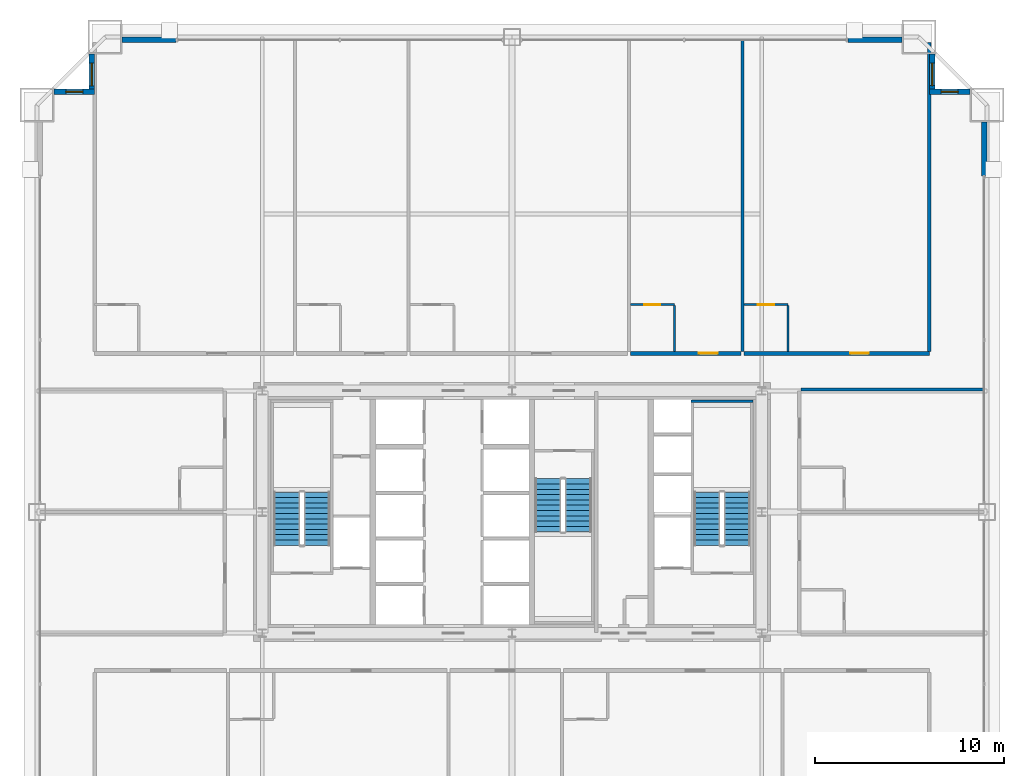
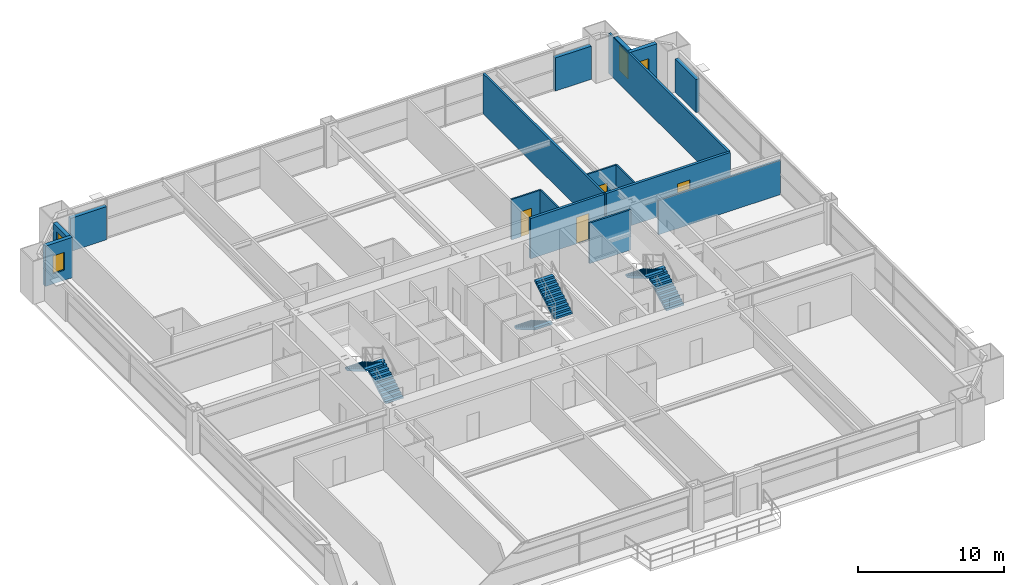
# One storey, part 42 of 43: 17 walls, 6 stair flights, 4 doors, 4 windows, 8 openings, 3 elements without a shape of their own.
"""IFC4 building model written with IfcOpenShell, lengths in metres."""

import ifcopenshell
import ifcopenshell.guid

model = None  # the IFC model being written
_history = None  # IfcOwnerHistory: only IFC2X3 demands one
_inside = {}  # id of a spatial element -> (the spatial element, [elements in it])
_under = {}  # id of a project, library or spatial element -> (it, [spatial elements below it])
_declared = {}  # id of a project -> (the project, [libraries it declares])
_typed = {}  # id of a type object -> (the type object, [elements of that type])
_made_of = {}  # id of a material, layer set ... -> (it, [elements and type objects made of it])


def new_model(schema):
    """Start an empty IFC model of exactly this schema.

    Asked for "IFC4X3", IfcOpenShell would pick the latest addendum, in which some entities
    have other attributes; the version numbers below select the first issue.
    IFC2X3 requires an IfcOwnerHistory on every rooted entity: one is made here for all.
    """
    global model, _history
    if schema == "IFC4X3":
        model = ifcopenshell.file(schema_version=(4, 3, 0, 0))
    else:
        model = ifcopenshell.file(schema=schema)
    _inside.clear()
    _under.clear()
    _declared.clear()
    _typed.clear()
    _made_of.clear()
    _history = None
    if model.schema == "IFC2X3":
        org = make("IfcOrganization", Name="unknown")
        user = make(
            "IfcPersonAndOrganization",
            ThePerson=make("IfcPerson", FamilyName="unknown"),
            TheOrganization=org,
        )
        app = make(
            "IfcApplication",
            ApplicationDeveloper=org,
            Version="unknown",
            ApplicationFullName="unknown",
            ApplicationIdentifier="unknown",
        )
        _history = make(
            "IfcOwnerHistory",
            OwningUser=user,
            OwningApplication=app,
            ChangeAction="ADDED",
            CreationDate=0,
        )
    return model


def make(cls, **values):
    """One entity of the class cls with the attributes given. An attribute that is None is left unset."""
    return model.create_entity(
        cls, **{name: value for name, value in values.items() if value is not None}
    )


def rooted(cls, **values):
    """An entity with a GlobalId (a new one), such as an element, a storey or a relation."""
    return make(cls, GlobalId=ifcopenshell.guid.new(), OwnerHistory=_history, **values)


def si_unit(unit_type, name, prefix=None):
    """IfcSIUnit, for example si_unit("LENGTHUNIT", "METRE", prefix="MILLI")."""
    return make("IfcSIUnit", UnitType=unit_type, Prefix=prefix, Name=name)


def assignment(units):
    """IfcUnitAssignment: the units of a project."""
    return None if units is None else make("IfcUnitAssignment", Units=units)


def point(xyz):
    """IfcCartesianPoint."""
    return None if xyz is None else make("IfcCartesianPoint", Coordinates=xyz)


def direction(xyz):
    """IfcDirection."""
    return None if xyz is None else make("IfcDirection", DirectionRatios=xyz)


def frame(location, z_axis=None, x_axis=None):
    """IfcAxis2Placement3D, a coordinate frame: its origin and axes. An axis left out is left unset."""
    return make(
        "IfcAxis2Placement3D",
        Location=point(location),
        Axis=direction(z_axis),
        RefDirection=direction(x_axis),
    )


def frame_2d(location, x_axis=None):
    """IfcAxis2Placement2D, a coordinate frame in the plane: its origin and x axis."""
    return make(
        "IfcAxis2Placement2D", Location=point(location), RefDirection=direction(x_axis)
    )


def origin():
    """The frame at (0, 0, 0) with its axes left unset."""
    return frame((0.0, 0.0, 0.0))


def place(relative_to, where):
    """IfcLocalPlacement: puts the frame where relative to a parent placement (None: the world)."""
    return make(
        "IfcLocalPlacement", PlacementRelTo=relative_to, RelativePlacement=where
    )


def context(
    kind, dimensions, precision=None, world=None, true_north=None, identifier=None
):
    """IfcGeometricRepresentationContext, for example the 3D "Model" context."""
    return make(
        "IfcGeometricRepresentationContext",
        ContextIdentifier=identifier,
        ContextType=kind,
        CoordinateSpaceDimension=dimensions,
        Precision=precision,
        WorldCoordinateSystem=world,
        TrueNorth=true_north,
    )


def subcontext(parent, identifier, kind, view, scale=None):
    """IfcGeometricRepresentationSubContext, for example "Body" below "Model"."""
    return make(
        "IfcGeometricRepresentationSubContext",
        ContextIdentifier=identifier,
        ContextType=kind,
        ParentContext=parent,
        TargetScale=scale,
        TargetView=view,
    )


def project(units=None, contexts=None):
    """IfcProject with its units and contexts."""
    return rooted(
        "IfcProject",
        Name="project",
        RepresentationContexts=contexts,
        UnitsInContext=assignment(units),
    )


def spatial(cls, under=None, at=None, **own):
    """A site, building, storey or space (cls), placed at a placement, below another one or the project."""
    s = rooted(cls, ObjectPlacement=at, **own)
    if under is not None:
        _under.setdefault(under.id(), (under, []))[1].append(s)
    return s


def polyline(points):
    """IfcPolyline through the points."""
    return make("IfcPolyline", Points=[point(p) for p in points])


def profile(cls, at=None, kind="AREA", **sizes):
    """A parametric profile (cls). Its sizes go by their IFC names, for example OverallWidth=200.0."""
    return make(cls, ProfileType=kind, Position=at, **sizes)


def rectangle(**sizes):
    """IfcRectangleProfileDef."""
    return profile("IfcRectangleProfileDef", **sizes)


def outline(outer, holes=None, kind="AREA"):
    """IfcArbitraryClosedProfileDef: a profile drawn as a closed curve; with holes, ...WithVoids."""
    if holes is None:
        return make("IfcArbitraryClosedProfileDef", ProfileType=kind, OuterCurve=outer)
    return make(
        "IfcArbitraryProfileDefWithVoids",
        ProfileType=kind,
        OuterCurve=outer,
        InnerCurves=holes,
    )


def extrude(swept, where, along, depth):
    """IfcExtrudedAreaSolid: the profile swept, set in the frame where, extruded along a direction by depth."""
    return make(
        "IfcExtrudedAreaSolid",
        SweptArea=swept,
        Position=where,
        ExtrudedDirection=direction(along),
        Depth=depth,
    )


def shape(context_of_items, identifier, shape_type, items):
    """IfcShapeRepresentation: the items that make up one representation, for example the "Body"."""
    return make(
        "IfcShapeRepresentation",
        ContextOfItems=context_of_items,
        RepresentationIdentifier=identifier,
        RepresentationType=shape_type,
        Items=items,
    )


def source(mapping_origin, context_of_items, identifier, shape_type, items):
    """IfcRepresentationMap: a shape defined once, which mapped items show again and again."""
    return make(
        "IfcRepresentationMap",
        MappingOrigin=mapping_origin,
        MappedRepresentation=shape(context_of_items, identifier, shape_type, items),
    )


def transform(
    local_origin,
    x_axis=None,
    y_axis=None,
    z_axis=None,
    scale=None,
    scale2=None,
    scale3=None,
    uniform=True,
):
    """IfcCartesianTransformationOperator3D, or its non-uniform kind. x_axis, y_axis, z_axis: its Axis1, 2, 3."""
    if uniform:
        return make(
            "IfcCartesianTransformationOperator3D",
            Axis1=direction(x_axis),
            Axis2=direction(y_axis),
            LocalOrigin=point(local_origin),
            Scale=scale,
            Axis3=direction(z_axis),
        )
    return make(
        "IfcCartesianTransformationOperator3DnonUniform",
        Axis1=direction(x_axis),
        Axis2=direction(y_axis),
        LocalOrigin=point(local_origin),
        Scale=scale,
        Axis3=direction(z_axis),
        Scale2=scale2,
        Scale3=scale3,
    )


def mapped(mapping_source, mapping_target):
    """IfcMappedItem: shows the shape of a source again, moved by a transform."""
    return make(
        "IfcMappedItem", MappingSource=mapping_source, MappingTarget=mapping_target
    )


def material(Name=None, Category=None):
    """IfcMaterial."""
    return make("IfcMaterial", Name=Name, Category=Category)


def layer(
    of_material, thickness, ventilated=None, Name=None, Category=None, Priority=None
):
    """IfcMaterialLayer: one layer of a wall or slab, of a material (None: an air gap)."""
    return make(
        "IfcMaterialLayer",
        Material=of_material,
        LayerThickness=thickness,
        IsVentilated=ventilated,
        Name=Name,
        Category=Category,
        Priority=Priority,
    )


def layer_set(layers, Name=None):
    """IfcMaterialLayerSet."""
    return make("IfcMaterialLayerSet", MaterialLayers=layers, LayerSetName=Name)


def made_of(thing, what):
    """Note that an element or type object is made of a material, layer set ...; save() writes the relation."""
    if what is not None:
        _made_of.setdefault(what.id(), (what, []))[1].append(thing)
    return thing


def type_object(cls, material=None, **own):
    """A type object (cls), such as IfcWallType, which elements share."""
    return made_of(rooted(cls, **own), material)


def element(
    cls,
    number,
    at=None,
    inside=None,
    cuts=None,
    type_object=None,
    material=None,
    context=None,
    identifier="Body",
    shape_type=None,
    held_by="IfcProductDefinitionShape",
    body=None,
    shapes=None,
    **own,
):
    """One element of the class cls, such as IfcWall. Its Tag is "e" and its number.

    at: its placement. inside: the storey or other place that contains it. cuts: it is an
    opening in that element (IfcRelVoidsElement). A single representation is given by context,
    identifier, shape_type and body (its items); several are given by shapes. held_by: the class
    of the entity that holds the representations. save() writes the other relations.
    """
    e = rooted(cls, Tag="e%d" % number, ObjectPlacement=at, **own)
    if body is not None:
        shapes = [shape(context, identifier, shape_type, body)]
    if shapes is not None:
        e.Representation = make(held_by, Representations=shapes)
    if inside is not None:
        _inside.setdefault(inside.id(), (inside, []))[1].append(e)
    if cuts is not None:
        rooted(
            "IfcRelVoidsElement", RelatingBuildingElement=cuts, RelatedOpeningElement=e
        )
    if type_object is not None:
        _typed.setdefault(type_object.id(), (type_object, []))[1].append(e)
    return made_of(e, material)


def fill(opening, filler):
    """IfcRelFillsElement: the door or window that sits in an opening."""
    return rooted(
        "IfcRelFillsElement",
        RelatingOpeningElement=opening,
        RelatedBuildingElement=filler,
    )


def aggregate(whole, parts):
    """IfcRelAggregates: a whole, such as a stair, and the parts it consists of."""
    return rooted("IfcRelAggregates", RelatingObject=whole, RelatedObjects=parts)


def save(model, path):
    """Write the relations noted so far, then the file.

    IfcRelAggregates (storeys below a building ...), IfcRelContainedInSpatialStructure (elements
    in a storey), IfcRelDefinesByType, IfcRelAssociatesMaterial and IfcRelDeclares: one each for
    every whole, place, type object, material and project.
    """
    for whole, parts in _under.values():
        aggregate(whole, parts)
    for where, things in _inside.values():
        rooted(
            "IfcRelContainedInSpatialStructure",
            RelatedElements=things,
            RelatingStructure=where,
        )
    for kind, things in _typed.values():
        rooted("IfcRelDefinesByType", RelatedObjects=things, RelatingType=kind)
    for what, things in _made_of.values():
        rooted("IfcRelAssociatesMaterial", RelatedObjects=things, RelatingMaterial=what)
    for by, libraries in _declared.values():
        rooted("IfcRelDeclares", RelatingContext=by, RelatedDefinitions=libraries)
    model.write(path)


model = new_model("IFC4")

# Units and contexts
model_context = context("Model", 3, precision=1e-05, world=origin(), true_north=direction((0.0, 1.0)))
body_context = subcontext(model_context, "Body", "Model", "MODEL_VIEW")
ifc_project = project(units=[si_unit("LENGTHUNIT", "METRE"), si_unit("AREAUNIT", "SQUARE_METRE"), si_unit("VOLUMEUNIT", "CUBIC_METRE"), si_unit("PLANEANGLEUNIT", "RADIAN"), si_unit("MASSUNIT", "GRAM", prefix="KILO"), si_unit("THERMODYNAMICTEMPERATUREUNIT", "KELVIN"), si_unit("POWERUNIT", "WATT")], contexts=[model_context])

# Site, building, storey
site_placement = place(None, origin())
site = spatial("IfcSite", under=ifc_project, at=site_placement, CompositionType="ELEMENT")
building_placement = place(site_placement, origin())
building = spatial("IfcBuilding", under=site, at=building_placement, Name="Yuzanri Waterfront Tower", CompositionType="ELEMENT")
storey_placement = place(building_placement, frame((0.0, 0.0, 78.39990234375)))
storey = spatial("IfcBuildingStorey", under=building, at=storey_placement, Name="L20", CompositionType="ELEMENT", Elevation=78.39990234375)

# Wall, opening, door
ifc_material_1 = material(Name="Moisture-Resistant Gypsum Stud Wall", Category="gypsum")
ifc_layer_1 = layer(ifc_material_1, 0.1201171875)
ifc_layer_set_1 = layer_set([ifc_layer_1], Name="Moisture-Resistant Gypsum Stud Wall")
wall_type_1 = type_object("IfcWallType", Name="Bathroom and Kitchen Wet Partition 120", PredefinedType="PARTITIONING", material=ifc_layer_set_1)
wall_1_placement = place(storey_placement, frame((43.257080078125, 36.760009765625, 0.0), z_axis=(0.0, 0.0, 1.0), x_axis=(1.0, 0.0, 0.0)))
wall_1 = element("IfcWall", 1, at=wall_1_placement, inside=storey, type_object=wall_type_1, Name="L20 Partition UW-L20-N4-BN", PredefinedType="PARTITIONING", context=body_context, shape_type="SweptSolid", body=[
    extrude(rectangle(XDim=2.329833984375, YDim=0.1201171875, at=frame_2d((1.1650390625, 0.0))), origin(), (0.0, 0.0, 1.0), 3.380126953125),
])
opening_1_placement = place(wall_1_placement, frame((0.739990234375, 0.0, 0.0)))
opening_1 = element("IfcOpeningElement", 2, at=opening_1_placement, cuts=wall_1, Name="Opening ID-0850", PredefinedType="OPENING", context=body_context, shape_type="SweptSolid", body=[
    extrude(rectangle(XDim=0.85009765625, YDim=2.10009765625, at=frame_2d((0.425048828125, 1.050048828125))), frame((0.0, 0.074951171875, 0.0), z_axis=(0.0, -1.0, 0.0), x_axis=(1.0, 0.0, 0.0)), (0.0, 0.0, 1.0), 0.14990234375),
])
ifc_material_2 = material(Name="Moisture-Resistant Lacquered Timber", Category="wood")
door_type_1 = type_object("IfcDoorType", Name="En-Suite Bathroom and Kitchen Swing Door 850x2100", OperationType="NOTDEFINED", PredefinedType="DOOR", material=ifc_material_2)
shared_shape_1 = source(origin(), body_context, "Body", "SweptSolid", [
    extrude(rectangle(XDim=0.85009765625, YDim=2.10009765625, at=frame_2d((0.425048828125, 1.050048828125))), frame((0.0, 0.02490234375, 0.0), z_axis=(0.0, -1.0, 0.0), x_axis=(1.0, 0.0, 0.0)), (0.0, 0.0, 1.0), 0.050048828125),
])
door_1_placement = place(opening_1_placement, origin())
door_1 = element("IfcDoor", 3, at=door_1_placement, inside=storey, type_object=door_type_1, Name="L20 Guest En-Suite Door", OperationType="SINGLE_SWING_RIGHT", OverallHeight=2.10009765625, OverallWidth=0.85009765625, PredefinedType="DOOR", context=body_context, shape_type="MappedRepresentation", body=[
    mapped(shared_shape_1, transform((0.0, 0.0, 0.0), scale=1.0)),
])
fill(opening_1, door_1)

wall_2_placement = place(storey_placement, frame((49.257080078125, 36.760009765625, 0.0), z_axis=(0.0, 0.0, 1.0), x_axis=(1.0, 0.0, 0.0)))
wall_2 = element("IfcWall", 4, at=wall_2_placement, inside=storey, type_object=wall_type_1, Name="L20 Partition UW-L20-N5-BN", PredefinedType="PARTITIONING", context=body_context, shape_type="SweptSolid", body=[
    extrude(rectangle(XDim=2.329833984375, YDim=0.1201171875, at=frame_2d((1.1650390625, 0.0))), origin(), (0.0, 0.0, 1.0), 3.380126953125),
])
opening_2_placement = place(wall_2_placement, frame((0.739990234375, 0.0, 0.0)))
opening_2 = element("IfcOpeningElement", 5, at=opening_2_placement, cuts=wall_2, Name="Opening ID-0850", PredefinedType="OPENING", context=body_context, shape_type="SweptSolid", body=[
    extrude(rectangle(XDim=0.85009765625, YDim=2.10009765625, at=frame_2d((0.425048828125, 1.050048828125))), frame((0.0, 0.074951171875, 0.0), z_axis=(0.0, -1.0, 0.0), x_axis=(1.0, 0.0, 0.0)), (0.0, 0.0, 1.0), 0.14990234375),
])
door_2_placement = place(opening_2_placement, origin())
door_2 = element("IfcDoor", 6, at=door_2_placement, inside=storey, type_object=door_type_1, Name="L20 Guest En-Suite Door", OperationType="SINGLE_SWING_RIGHT", OverallHeight=2.10009765625, OverallWidth=0.85009765625, PredefinedType="DOOR", context=body_context, shape_type="MappedRepresentation", body=[
    mapped(shared_shape_1, transform((0.0, 0.0, 0.0), scale=1.0)),
])
fill(opening_2, door_2)

# Wall, opening, window
ifc_material_3 = material(Name="Honed Chongqing Dark Basalt Stone", Category="masonry")
ifc_layer_2 = layer(ifc_material_3, 0.300048828125)
ifc_layer_set_2 = layer_set([ifc_layer_2], Name="Honed Chongqing Dark Basalt Stone")
wall_type_2 = type_object("IfcWallType", Name="Bronze Rainscreen Insulated Spandrel Portal Wall 300", PredefinedType="SOLIDWALL", material=ifc_layer_set_2)
wall_3_placement = place(storey_placement, frame((14.949951171875, 48.0, 0.0), z_axis=(0.0, 0.0, 1.0), x_axis=(-1.0, 0.0, 0.0)))
wall_3 = element("IfcWall", 7, at=wall_3_placement, inside=storey, type_object=wall_type_2, Name="L20 Notched Corner Masonry Wall NW-X", PredefinedType="SOLIDWALL", context=body_context, shape_type="SweptSolid", body=[
    extrude(rectangle(XDim=2.14990234375, YDim=0.300048828125, at=frame_2d((1.074951171875, 0.0))), origin(), (0.0, 0.0, 1.0), 3.380126953125),
])
opening_3_placement = place(wall_3_placement, frame((0.625, 0.0, 0.85009765625)))
opening_3 = element("IfcOpeningElement", 8, at=opening_3_placement, cuts=wall_3, Name="Opening WN-05", PredefinedType="OPENING", context=body_context, shape_type="SweptSolid", body=[
    extrude(rectangle(XDim=0.89990234375, YDim=1.5, at=frame_2d((0.449951171875, 0.75))), frame((0.0, 0.1650390625, 0.0), z_axis=(0.0, -1.0, 0.0), x_axis=(1.0, 0.0, 0.0)), (0.0, 0.0, 1.0), 0.329833984375),
])
ifc_material_4 = material(Name="Double-Silver Low-E Insulated Glass", Category="glass")
window_type_1 = type_object("IfcWindowType", Name="Anodized Bronze Service and Stairwell Smoke-Vent Window 900x1500", PartitioningType="SINGLE_PANEL", PredefinedType="WINDOW", material=ifc_material_4)
shared_shape_2 = source(origin(), body_context, "Body", "SweptSolid", [
    extrude(rectangle(XDim=0.89990234375, YDim=1.5, at=frame_2d((0.449951171875, 0.75))), frame((0.0, 0.030029296875, 0.0), z_axis=(0.0, -1.0, 0.0), x_axis=(1.0, 0.0, 0.0)), (0.0, 0.0, 1.0), 0.06005859375),
])
window_1_placement = place(opening_3_placement, origin())
window_1 = element("IfcWindow", 9, at=window_1_placement, inside=storey, type_object=window_type_1, Name="L20 Notched Corner Window NW-X", OverallHeight=1.5, OverallWidth=0.89990234375, PartitioningType="SINGLE_PANEL", PredefinedType="WINDOW", context=body_context, shape_type="MappedRepresentation", body=[
    mapped(shared_shape_2, transform((0.0, 0.0, 0.0), scale=1.0)),
])
fill(opening_3, window_1)

wall_4_placement = place(storey_placement, frame((14.800048828125, 50.0, 0.0), z_axis=(0.0, 0.0, 1.0), x_axis=(0.0, -1.0, 0.0)))
wall_4 = element("IfcWall", 10, at=wall_4_placement, inside=storey, type_object=wall_type_2, Name="L20 Notched Corner Masonry Wall NW-Y", PredefinedType="SOLIDWALL", context=body_context, shape_type="SweptSolid", body=[
    extrude(rectangle(XDim=2.14990234375, YDim=0.300048828125, at=frame_2d((1.074951171875, 0.0))), origin(), (0.0, 0.0, 1.0), 3.380126953125),
])
opening_4_placement = place(wall_4_placement, frame((0.47509765625, 0.0, 0.85009765625)))
opening_4 = element("IfcOpeningElement", 11, at=opening_4_placement, cuts=wall_4, Name="Opening WN-02", PredefinedType="OPENING", context=body_context, shape_type="SweptSolid", body=[
    extrude(rectangle(XDim=1.199951171875, YDim=2.10009765625, at=frame_2d((0.60009765625, 1.050048828125))), frame((0.0, 0.1650390625, 0.0), z_axis=(0.0, -1.0, 0.0), x_axis=(1.0, 0.0, 0.0)), (0.0, 0.0, 1.0), 0.329833984375),
])
ifc_material_5 = material(Name="Double-Silver Low-E Insulated Glass", Category="glass")
window_type_2 = type_object("IfcWindowType", Name="Anodized Bronze Notched Corner Deep-Set Slot Window 1200x2100", PartitioningType="SINGLE_PANEL", PredefinedType="WINDOW", material=ifc_material_5)
shared_shape_3 = source(origin(), body_context, "Body", "SweptSolid", [
    extrude(rectangle(XDim=1.199951171875, YDim=2.10009765625, at=frame_2d((0.60009765625, 1.050048828125))), frame((0.0, 0.030029296875, 0.0), z_axis=(0.0, -1.0, 0.0), x_axis=(1.0, 0.0, 0.0)), (0.0, 0.0, 1.0), 0.06005859375),
])
window_2_placement = place(opening_4_placement, origin())
window_2 = element("IfcWindow", 12, at=window_2_placement, inside=storey, type_object=window_type_2, Name="L20 Notched Corner Window NW-Y", OverallHeight=2.10009765625, OverallWidth=1.199951171875, PartitioningType="SINGLE_PANEL", PredefinedType="WINDOW", context=body_context, shape_type="MappedRepresentation", body=[
    mapped(shared_shape_3, transform((0.0, 0.0, 0.0), scale=1.0)),
])
fill(opening_4, window_2)

wall_5_placement = place(storey_placement, frame((61.199951171875, 48.0, 0.0), z_axis=(0.0, 0.0, 1.0), x_axis=(-1.0, 0.0, 0.0)))
wall_5 = element("IfcWall", 13, at=wall_5_placement, inside=storey, type_object=wall_type_2, Name="L20 Notched Corner Masonry Wall NE-X", PredefinedType="SOLIDWALL", context=body_context, shape_type="SweptSolid", body=[
    extrude(rectangle(XDim=2.14990234375, YDim=0.300048828125, at=frame_2d((1.074951171875, 0.0))), origin(), (0.0, 0.0, 1.0), 3.380126953125),
])
opening_5_placement = place(wall_5_placement, frame((0.625, 0.0, 0.85009765625)))
opening_5 = element("IfcOpeningElement", 14, at=opening_5_placement, cuts=wall_5, Name="Opening WN-05", PredefinedType="OPENING", context=body_context, shape_type="SweptSolid", body=[
    extrude(rectangle(XDim=0.89990234375, YDim=1.5, at=frame_2d((0.449951171875, 0.75))), frame((0.0, 0.1650390625, 0.0), z_axis=(0.0, -1.0, 0.0), x_axis=(1.0, 0.0, 0.0)), (0.0, 0.0, 1.0), 0.329833984375),
])
window_3_placement = place(opening_5_placement, origin())
window_3 = element("IfcWindow", 15, at=window_3_placement, inside=storey, type_object=window_type_1, Name="L20 Notched Corner Window NE-X", OverallHeight=1.5, OverallWidth=0.89990234375, PartitioningType="SINGLE_PANEL", PredefinedType="WINDOW", context=body_context, shape_type="MappedRepresentation", body=[
    mapped(shared_shape_2, transform((0.0, 0.0, 0.0), scale=1.0)),
])
fill(opening_5, window_3)

wall_6_placement = place(storey_placement, frame((59.199951171875, 47.85009765625, 0.0), z_axis=(0.0, 0.0, 1.0), x_axis=(0.0, 1.0, 0.0)))
wall_6 = element("IfcWall", 16, at=wall_6_placement, inside=storey, type_object=wall_type_2, Name="L20 Notched Corner Masonry Wall NE-Y", PredefinedType="SOLIDWALL", context=body_context, shape_type="SweptSolid", body=[
    extrude(rectangle(XDim=2.14990234375, YDim=0.300048828125, at=frame_2d((1.074951171875, 0.0))), origin(), (0.0, 0.0, 1.0), 3.380126953125),
])
opening_6_placement = place(wall_6_placement, frame((0.47509765625, 0.0, 0.85009765625)))
opening_6 = element("IfcOpeningElement", 17, at=opening_6_placement, cuts=wall_6, Name="Opening WN-02", PredefinedType="OPENING", context=body_context, shape_type="SweptSolid", body=[
    extrude(rectangle(XDim=1.199951171875, YDim=2.10009765625, at=frame_2d((0.60009765625, 1.050048828125))), frame((0.0, 0.1650390625, 0.0), z_axis=(0.0, -1.0, 0.0), x_axis=(1.0, 0.0, 0.0)), (0.0, 0.0, 1.0), 0.329833984375),
])
window_4_placement = place(opening_6_placement, origin())
window_4 = element("IfcWindow", 18, at=window_4_placement, inside=storey, type_object=window_type_2, Name="L20 Notched Corner Window NE-Y", OverallHeight=2.10009765625, OverallWidth=1.199951171875, PartitioningType="SINGLE_PANEL", PredefinedType="WINDOW", context=body_context, shape_type="MappedRepresentation", body=[
    mapped(shared_shape_3, transform((0.0, 0.0, 0.0), scale=1.0)),
])
fill(opening_6, window_4)

# Wall, opening, door
ifc_material_6 = material(Name="Autoclaved Aerated Concrete Blockwork", Category="masonry")
ifc_layer_3 = layer(ifc_material_6, 0.199951171875)
ifc_layer_set_3 = layer_set([ifc_layer_3], Name="Autoclaved Aerated Concrete Blockwork")
wall_type_3 = type_object("IfcWallType", Name="Corridor and Unit Party Fire Wall 200", PredefinedType="PARTITIONING", material=ifc_layer_set_3)
wall_7_placement = place(storey_placement, frame((43.257080078125, 34.179931640625, 0.0), z_axis=(0.0, 0.0, 1.0), x_axis=(1.0, 0.0, 0.0)))
wall_7 = element("IfcWall", 19, at=wall_7_placement, inside=storey, type_object=wall_type_3, Name="L20 Partition UW-L20-N4-CS", PredefinedType="PARTITIONING", context=body_context, shape_type="SweptSolid", body=[
    extrude(rectangle(XDim=5.83984375, YDim=0.199951171875, at=frame_2d((2.919921875, 0.0))), origin(), (0.0, 0.0, 1.0), 3.380126953125),
])
opening_7_placement = place(wall_7_placement, frame((3.625, 0.0, 0.0)))
opening_7 = element("IfcOpeningElement", 20, at=opening_7_placement, cuts=wall_7, Name="Opening FD-1000", PredefinedType="OPENING", context=body_context, shape_type="SweptSolid", body=[
    extrude(rectangle(XDim=1.0, YDim=2.199951171875, at=frame_2d((0.5, 1.10009765625))), frame((0.0, 0.11474609375, 0.0), z_axis=(0.0, -1.0, 0.0), x_axis=(1.0, 0.0, 0.0)), (0.0, 0.0, 1.0), 0.229736328125),
])
ifc_material_7 = material(Name="Engineered Oak Fire-Rated Timber", Category="wood")
door_type_2 = type_object("IfcDoorType", Name="Guestroom and Apartment Entrance Fire Door 1000x2200", OperationType="NOTDEFINED", PredefinedType="DOOR", material=ifc_material_7)
shared_shape_4 = source(origin(), body_context, "Body", "SweptSolid", [
    extrude(rectangle(XDim=1.0, YDim=2.199951171875, at=frame_2d((0.5, 1.10009765625))), frame((0.0, 0.02490234375, 0.0), z_axis=(0.0, -1.0, 0.0), x_axis=(1.0, 0.0, 0.0)), (0.0, 0.0, 1.0), 0.050048828125),
])
door_3_placement = place(opening_7_placement, origin())
door_3 = element("IfcDoor", 21, at=door_3_placement, inside=storey, type_object=door_type_2, Name="L20 Deluxe Junior Suite Entrance Door", OperationType="SINGLE_SWING_LEFT", OverallHeight=2.199951171875, OverallWidth=1.0, PredefinedType="DOOR", context=body_context, shape_type="MappedRepresentation", body=[
    mapped(shared_shape_4, transform((0.0, 0.0, 0.0), scale=1.0)),
])
fill(opening_7, door_3)

wall_8_placement = place(storey_placement, frame((49.257080078125, 34.179931640625, 0.0), z_axis=(0.0, 0.0, 1.0), x_axis=(1.0, 0.0, 0.0)))
wall_8 = element("IfcWall", 22, at=wall_8_placement, inside=storey, type_object=wall_type_3, Name="L20 Partition UW-L20-N5-CS", PredefinedType="PARTITIONING", context=body_context, shape_type="SweptSolid", body=[
    extrude(rectangle(XDim=9.802978515625, YDim=0.199951171875, at=frame_2d((4.9013671875, 0.0))), origin(), (0.0, 0.0, 1.0), 3.380126953125),
])
opening_8_placement = place(wall_8_placement, frame((5.60693359375, 0.0, 0.0)))
opening_8 = element("IfcOpeningElement", 23, at=opening_8_placement, cuts=wall_8, Name="Opening FD-1000", PredefinedType="OPENING", context=body_context, shape_type="SweptSolid", body=[
    extrude(rectangle(XDim=1.0, YDim=2.199951171875, at=frame_2d((0.5, 1.10009765625))), frame((0.0, 0.11474609375, 0.0), z_axis=(0.0, -1.0, 0.0), x_axis=(1.0, 0.0, 0.0)), (0.0, 0.0, 1.0), 0.229736328125),
])
door_4_placement = place(opening_8_placement, origin())
door_4 = element("IfcDoor", 24, at=door_4_placement, inside=storey, type_object=door_type_2, Name="L20 Deluxe Junior Suite Entrance Door", OperationType="SINGLE_SWING_LEFT", OverallHeight=2.199951171875, OverallWidth=1.0, PredefinedType="DOOR", context=body_context, shape_type="MappedRepresentation", body=[
    mapped(shared_shape_4, transform((0.0, 0.0, 0.0), scale=1.0)),
])
fill(opening_8, door_4)

# Walls
shared_shape_5 = source(origin(), body_context, "Body", "SweptSolid", [
    extrude(rectangle(XDim=2.85009765625, YDim=0.300048828125, at=frame_2d((1.425048828125, 0.0))), origin(), (0.0, 0.0, 1.0), 2.775146484375),
])
for number, where, z_axis, x_axis, name in (
    (25, (16.39990234375, 50.75, 0.0), (0.0, 0.0, 1.0), (1.0, 0.0, 0.0), "L20 N Left Braced Masonry Shoulder"),
    (26, (54.75, 50.75, 0.0), (0.0, 0.0, 1.0), (1.0, 0.0, 0.0), "L20 N Right Braced Masonry Shoulder"),
):
    element("IfcWall", number, at=place(storey_placement, frame(where, z_axis=z_axis, x_axis=x_axis)), inside=storey, type_object=wall_type_2, Name=name, PredefinedType="SOLIDWALL", context=body_context, shape_type="MappedRepresentation", body=[
        mapped(shared_shape_5, transform((0.0, 0.0, 0.0), scale=1.0)),
    ])
shared_shape_6 = source(origin(), body_context, "Body", "SweptSolid", [
    extrude(rectangle(XDim=2.849853515625, YDim=0.300048828125, at=frame_2d((1.4248046875, 0.0))), origin(), (0.0, 0.0, 1.0), 2.775146484375),
])
wall_9_placement = place(storey_placement, frame((61.949951171875, 43.550048828125, 0.0), z_axis=(0.0, 0.0, 1.0), x_axis=(0.0, 1.0, 0.0)))
element("IfcWall", 27, at=wall_9_placement, inside=storey, type_object=wall_type_2, Name="L20 E Right Braced Masonry Shoulder", PredefinedType="SOLIDWALL", context=body_context, shape_type="MappedRepresentation", body=[
    mapped(shared_shape_6, transform((0.0, 0.0, 0.0), scale=1.0)),
])
ifc_material_8 = material(Name="Gypsum Fireboard Acoustic Stud Wall", Category="gypsum")
ifc_layer_4 = layer(ifc_material_8, 0.159912109375)
ifc_layer_set_4 = layer_set([ifc_layer_4], Name="Gypsum Fireboard Acoustic Stud Wall")
wall_type_4 = type_object("IfcWallType", Name="Acoustic Suite Demising Partition 160", PredefinedType="PARTITIONING", material=ifc_layer_set_4)
shared_shape_7 = source(origin(), body_context, "Body", "SweptSolid", [
    extrude(rectangle(XDim=9.669921875, YDim=0.159912109375, at=frame_2d((4.8349609375, 0.0))), origin(), (0.0, 0.0, 1.0), 2.875),
])
wall_10_placement = place(storey_placement, frame((52.280029296875, 32.27001953125, 0.0), z_axis=(0.0, 0.0, 1.0), x_axis=(1.0, 0.0, 0.0)))
element("IfcWall", 28, at=wall_10_placement, inside=storey, type_object=wall_type_4, Name="L20-E2 Wing North End Wall", PredefinedType="PARTITIONING", context=body_context, shape_type="MappedRepresentation", body=[
    mapped(shared_shape_7, transform((0.0, 0.0, 0.0), scale=1.0)),
])
ifc_material_9 = material(Name="Concrete C40", Category="concrete")
ifc_layer_5 = layer(ifc_material_9, 0.139892578125)
ifc_layer_set_5 = layer_set([ifc_layer_5], Name="Concrete C40")
wall_type_5 = type_object("IfcWallType", Name="Core Stair Liner and Hoistway Shaft Wall 140", PredefinedType="SOLIDWALL", material=ifc_layer_set_5)
shared_shape_8 = source(origin(), body_context, "Body", "SweptSolid", [
    extrude(rectangle(XDim=3.280029296875, YDim=0.139892578125, at=frame_2d((1.64013671875, 0.0))), origin(), (0.0, 0.0, 1.0), 3.380126953125),
])
wall_11_placement = place(storey_placement, frame((46.4599609375, 31.64990234375, 0.0), z_axis=(0.0, 0.0, 1.0), x_axis=(1.0, 0.0, 0.0)))
element("IfcWall", 29, at=wall_11_placement, inside=storey, type_object=wall_type_5, Name="L20 Stair ST-02 North Shaft Wall", PredefinedType="SOLIDWALL", context=body_context, shape_type="MappedRepresentation", body=[
    mapped(shared_shape_8, transform((0.0, 0.0, 0.0), scale=1.0)),
])
shared_shape_9 = source(origin(), body_context, "Body", "SweptSolid", [
    extrude(rectangle(XDim=16.469970703125, YDim=0.159912109375, at=frame_2d((8.23486328125, 0.0))), origin(), (0.0, 0.0, 1.0), 3.380126953125),
])
wall_12_placement = place(storey_placement, frame((49.177001953125, 34.280029296875, 0.0), z_axis=(0.0, 0.0, 1.0), x_axis=(0.0, 1.0, 0.0)))
element("IfcWall", 30, at=wall_12_placement, inside=storey, type_object=wall_type_4, Name="L20-N4 Party Wall", PredefinedType="PARTITIONING", context=body_context, shape_type="MappedRepresentation", body=[
    mapped(shared_shape_9, transform((0.0, 0.0, 0.0), scale=1.0)),
])
shared_shape_10 = source(origin(), body_context, "Body", "SweptSolid", [
    extrude(rectangle(XDim=16.320068359375, YDim=0.159912109375, at=frame_2d((8.16015625, 0.0))), origin(), (0.0, 0.0, 1.0), 3.380126953125),
])
wall_13_placement = place(storey_placement, frame((59.050048828125, 34.280029296875, 0.0), z_axis=(0.0, 0.0, 1.0), x_axis=(0.0, 1.0, 0.0)))
element("IfcWall", 31, at=wall_13_placement, inside=storey, type_object=wall_type_4, Name="L20 North Band East End Wall", PredefinedType="PARTITIONING", context=body_context, shape_type="MappedRepresentation", body=[
    mapped(shared_shape_10, transform((0.0, 0.0, 0.0), scale=1.0)),
])
shared_shape_11 = source(origin(), body_context, "Body", "SweptSolid", [
    extrude(rectangle(XDim=2.419921875, YDim=0.1201171875, at=frame_2d((1.2099609375, 0.0))), origin(), (0.0, 0.0, 1.0), 3.380126953125),
])
for number, where, z_axis, x_axis, name in (
    (32, (45.5869140625, 34.280029296875, 0.0), (0.0, 0.0, 1.0), (0.0, 1.0, 0.0), "L20-N4 En-Suite Side Wall"),
    (33, (51.5869140625, 34.280029296875, 0.0), (0.0, 0.0, 1.0), (0.0, 1.0, 0.0), "L20-N5 En-Suite Side Wall"),
):
    element("IfcWall", number, at=place(storey_placement, frame(where, z_axis=z_axis, x_axis=x_axis)), inside=storey, type_object=wall_type_1, Name=name, PredefinedType="PARTITIONING", context=body_context, shape_type="MappedRepresentation", body=[
        mapped(shared_shape_11, transform((0.0, 0.0, 0.0), scale=1.0)),
    ])

# Stair, stair flights
ifc_material_10 = material(Name="Concrete C40", Category="concrete")
stair_type = type_object("IfcStairType", Name="Concrete C40 Core Dogleg Exit Stair", PredefinedType="HALF_TURN_STAIR", material=ifc_material_10)
stair_1_placement = place(storey_placement, origin())
stair_1 = element("IfcStair", 34, at=stair_1_placement, inside=storey, type_object=stair_type, Name="L20 Smoke-Proof Core Stair ST-01", PredefinedType="HALF_TURN_STAIR")
ifc_material_11 = material(Name="Concrete C40", Category="concrete")
stair_flight_type = type_object("IfcStairFlightType", Name="Concrete C40 Precast Stair Flight 1380", PredefinedType="STRAIGHT", material=ifc_material_11)
shared_shape_12 = source(origin(), body_context, "Body", "SweptSolid", [
    extrude(outline(polyline([(0.0, 0.0), (0.0, 0.16357421875), (0.280029296875, 0.16357421875), (0.280029296875, 0.327392578125), (0.56005859375, 0.327392578125), (0.56005859375, 0.490966796875), (0.840087890625, 0.490966796875), (0.840087890625, 0.654541015625), (1.1201171875, 0.654541015625), (1.1201171875, 0.818115234375), (1.39990234375, 0.818115234375), (1.39990234375, 0.98193359375), (1.679931640625, 0.98193359375), (1.679931640625, 1.1455078125), (1.9599609375, 1.1455078125), (1.9599609375, 1.30908203125), (2.239990234375, 1.30908203125), (2.239990234375, 1.47265625), (2.52001953125, 1.47265625), (2.52001953125, 1.636474609375), (2.800048828125, 1.636474609375), (2.800048828125, 1.800048828125), (2.800048828125, 1.462646484375), (0.297119140625, 0.0), (0.0, 0.0)])), frame((0.0, 0.699951171875, 0.0), z_axis=(0.0, -1.0, 0.0), x_axis=(1.0, 0.0, 0.0)), (0.0, 0.0, 1.0), 1.39990234375),
])
stair_flight_1_placement = place(storey_placement, frame((26.699951171875, 24.0400390625, 0.0), z_axis=(0.0, 0.0, 1.0), x_axis=(0.0, 1.0, 0.0)))
stair_flight_1 = element("IfcStairFlight", 35, at=stair_flight_1_placement, type_object=stair_flight_type, Name="ST-01 flight 1", NumberOfRisers=11, NumberOfTreads=10, PredefinedType="STRAIGHT", RiserHeight=0.163636364, TreadLength=0.28, context=body_context, shape_type="MappedRepresentation", body=[
    mapped(shared_shape_12, transform((0.0, 0.0, 0.0), scale=1.0)),
])
stair_flight_2_placement = place(storey_placement, frame((25.10009765625, 26.840087890625, 1.800048828125), z_axis=(0.0, 0.0, 1.0), x_axis=(0.0, -1.0, 0.0)))
stair_flight_2 = element("IfcStairFlight", 36, at=stair_flight_2_placement, type_object=stair_flight_type, Name="ST-01 flight 2", NumberOfRisers=11, NumberOfTreads=10, PredefinedType="STRAIGHT", RiserHeight=0.163636364, TreadLength=0.28, context=body_context, shape_type="MappedRepresentation", body=[
    mapped(shared_shape_12, transform((0.0, 0.0, 0.0), scale=1.0)),
])
aggregate(stair_1, [stair_flight_1, stair_flight_2])

stair_2_placement = place(storey_placement, origin())
stair_2 = element("IfcStair", 37, at=stair_2_placement, inside=storey, type_object=stair_type, Name="L20 Smoke-Proof Core Stair ST-02", PredefinedType="HALF_TURN_STAIR")
stair_flight_3_placement = place(storey_placement, frame((48.89990234375, 24.0400390625, 0.0), z_axis=(0.0, 0.0, 1.0), x_axis=(0.0, 1.0, 0.0)))
stair_flight_3 = element("IfcStairFlight", 38, at=stair_flight_3_placement, type_object=stair_flight_type, Name="ST-02 flight 1", NumberOfRisers=11, NumberOfTreads=10, PredefinedType="STRAIGHT", RiserHeight=0.163636364, TreadLength=0.28, context=body_context, shape_type="MappedRepresentation", body=[
    mapped(shared_shape_12, transform((0.0, 0.0, 0.0), scale=1.0)),
])
stair_flight_4_placement = place(storey_placement, frame((47.300048828125, 26.840087890625, 1.800048828125), z_axis=(0.0, 0.0, 1.0), x_axis=(0.0, -1.0, 0.0)))
stair_flight_4 = element("IfcStairFlight", 39, at=stair_flight_4_placement, type_object=stair_flight_type, Name="ST-02 flight 2", NumberOfRisers=11, NumberOfTreads=10, PredefinedType="STRAIGHT", RiserHeight=0.163636364, TreadLength=0.28, context=body_context, shape_type="MappedRepresentation", body=[
    mapped(shared_shape_12, transform((0.0, 0.0, 0.0), scale=1.0)),
])
aggregate(stair_2, [stair_flight_3, stair_flight_4])

stair_3_placement = place(storey_placement, origin())
stair_3 = element("IfcStair", 40, at=stair_3_placement, inside=storey, type_object=stair_type, Name="L20 Smoke-Proof Core Stair ST-03", PredefinedType="HALF_TURN_STAIR")
stair_flight_5_placement = place(storey_placement, frame((38.89990234375, 27.56005859375, 0.0), z_axis=(0.0, 0.0, 1.0), x_axis=(0.0, -1.0, 0.0)))
stair_flight_5 = element("IfcStairFlight", 41, at=stair_flight_5_placement, type_object=stair_flight_type, Name="ST-03 flight 1", NumberOfRisers=11, NumberOfTreads=10, PredefinedType="STRAIGHT", RiserHeight=0.163636364, TreadLength=0.28, context=body_context, shape_type="MappedRepresentation", body=[
    mapped(shared_shape_12, transform((0.0, 0.0, 0.0), scale=1.0)),
])
stair_flight_6_placement = place(storey_placement, frame((40.5, 24.760009765625, 1.800048828125), z_axis=(0.0, 0.0, 1.0), x_axis=(0.0, 1.0, 0.0)))
stair_flight_6 = element("IfcStairFlight", 42, at=stair_flight_6_placement, type_object=stair_flight_type, Name="ST-03 flight 2", NumberOfRisers=11, NumberOfTreads=10, PredefinedType="STRAIGHT", RiserHeight=0.163636364, TreadLength=0.28, context=body_context, shape_type="MappedRepresentation", body=[
    mapped(shared_shape_12, transform((0.0, 0.0, 0.0), scale=1.0)),
])
aggregate(stair_3, [stair_flight_5, stair_flight_6])

save(model, "model.ifc")
